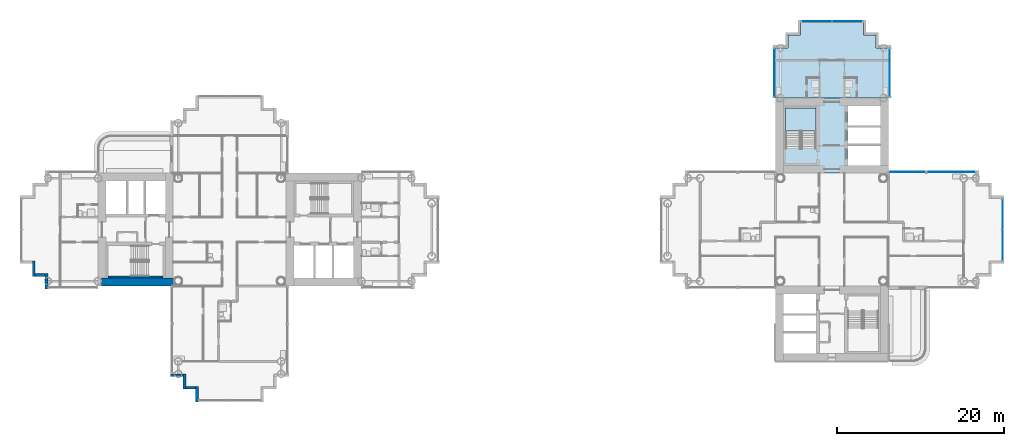
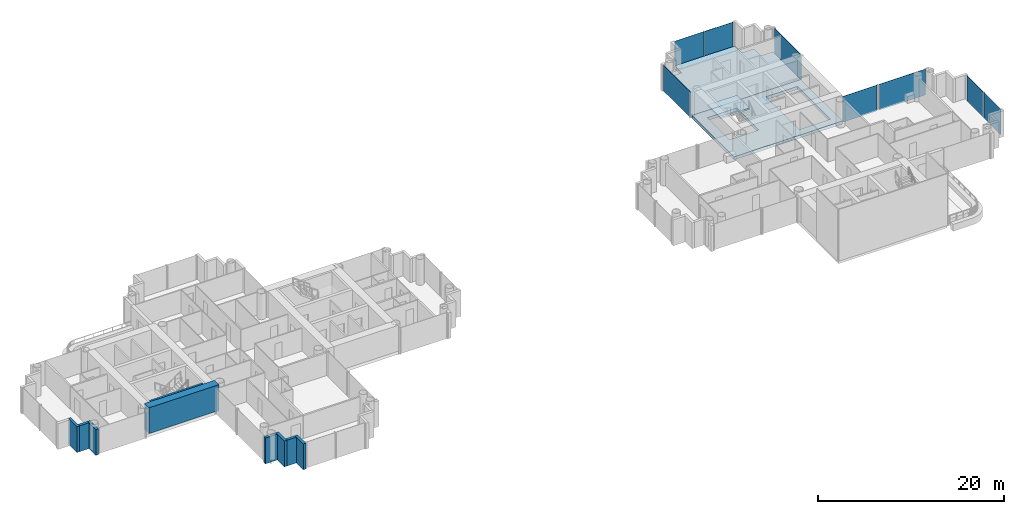
# One storey, part 8 of 21: 9 walls, 8 plates, 3 slabs, 7 elements without a shape of their own.
"""IFC4 building model written with IfcOpenShell, lengths in metres."""

from ifc_helpers import new_model, si_unit, direction, frame, frame_2d, origin, origin_2d, place, context, subcontext, project, spatial, polyline, rectangle, outline, extrude, material, layer, layer_set, type_object, element, aggregate, save


model = new_model("IFC4")

# Units and contexts
model_context = context("Model", 3, precision=1e-05, world=origin(), true_north=direction((0.0, 1.0)))
body_context = subcontext(model_context, "Body", "Model", "MODEL_VIEW")
ifc_project = project(units=[si_unit("LENGTHUNIT", "METRE"), si_unit("AREAUNIT", "SQUARE_METRE"), si_unit("VOLUMEUNIT", "CUBIC_METRE"), si_unit("PLANEANGLEUNIT", "RADIAN"), si_unit("MASSUNIT", "GRAM", prefix="KILO")], contexts=[model_context])

# Site, building, storey
site_placement = place(None, origin())
site = spatial("IfcSite", under=ifc_project, at=site_placement, CompositionType="ELEMENT")
building_placement = place(site_placement, origin())
building = spatial("IfcBuilding", under=site, at=building_placement, Name="Ipe Terrace Towers", CompositionType="ELEMENT")
storey_placement = place(building_placement, frame((0.0, 0.0, 117.39990234375)))
storey = spatial("IfcBuildingStorey", under=building, at=storey_placement, Name="L32", CompositionType="ELEMENT", Elevation=117.39990234375)

# Slab
ifc_material_1 = material(Name="Concrete C30/37", Category="concrete")
ifc_layer_1 = layer(ifc_material_1, 0.39990234375)
ifc_layer_set_1 = layer_set([ifc_layer_1], Name="CORE FLOOR SLAB 400 C30-37")
slab_type_1 = type_object("IfcSlabType", Name="CORE FLOOR SLAB 400 C30-37", PredefinedType="FLOOR", material=ifc_layer_set_1)
slab_1_placement = place(storey_placement, frame((0.0, 0.0, -0.39990234375)))
element("IfcSlab", 1, at=slab_1_placement, inside=storey, type_object=slab_type_1, Name="Core floor T2-C1", PredefinedType="FLOOR", context=body_context, shape_type="SweptSolid", body=[
    extrude(outline(polyline([(29.25, 6.75), (29.25, 15.75), (42.75, 15.75), (42.75, 6.75), (29.25, 6.75)]), holes=[polyline([(41.800048828125, 7.699951171875), (41.800048828125, 14.800048828125), (37.89990234375, 14.800048828125), (37.89990234375, 7.699951171875), (41.800048828125, 7.699951171875)]), polyline([(30.449951171875, 9.800048828125), (34.10009765625, 9.800048828125), (34.10009765625, 14.550048828125), (30.449951171875, 14.550048828125), (30.449951171875, 9.800048828125)])]), origin(), (0.0, 0.0, 1.0), 0.39990234375),
])

# Stair, slab
ifc_material_2 = material(Name="Concrete C30/37", Category="concrete")
stair_type = type_object("IfcStairType", Name="Protected exit stair", PredefinedType="HALF_TURN_STAIR", material=ifc_material_2)
stair_placement = place(storey_placement, origin())
stair = element("IfcStair", 2, at=stair_placement, inside=storey, type_object=stair_type, Name="L32 Exit stair T2-C1", PredefinedType="HALF_TURN_STAIR")
ifc_material_3 = material(Name="Concrete C30/37", Category="concrete")
ifc_layer_2 = layer(ifc_material_3, 0.199951171875)
ifc_layer_set_2 = layer_set([ifc_layer_2], Name="Exit stair landing 200")
slab_type_2 = type_object("IfcSlabType", Name="Exit stair landing 200", PredefinedType="LANDING", material=ifc_layer_set_2)
slab_2_placement = place(storey_placement, frame((0.0, 0.0, 1.5)))
slab_2 = element("IfcSlab", 3, at=slab_2_placement, type_object=slab_type_2, Name="T2-ST1 landing 1", PredefinedType="LANDING", context=body_context, shape_type="SweptSolid", body=[
    extrude(outline(polyline([(34.10009765625, 11.780029296875), (34.10009765625, 14.550048828125), (30.449951171875, 14.550048828125), (30.449951171875, 11.780029296875), (34.10009765625, 11.780029296875)])), origin(), (0.0, 0.0, 1.0), 0.2001953125),
])
aggregate(stair, [slab_2])

# Slab
ifc_material_4 = material(Name="Concrete C40/50", Category="concrete")
ifc_layer_3 = layer(ifc_material_4, 0.39990234375)
ifc_layer_set_3 = layer_set([ifc_layer_3], Name="FLAT PLATE SLAB 400 C40-50")
slab_type_3 = type_object("IfcSlabType", Name="FLAT PLATE SLAB 400 C40-50", PredefinedType="FLOOR", material=ifc_layer_set_3)
slab_3_placement = place(storey_placement, frame((0.0, 0.0, -0.39990234375)))
element("IfcSlab", 4, at=slab_3_placement, inside=storey, type_object=slab_type_3, Name="Slab T2-FS-Z22", PredefinedType="FLOOR", context=body_context, shape_type="SweptSolid", body=[
    extrude(outline(polyline([(30.75, 21.75), (30.75, 23.25), (32.25, 23.25), (32.25, 24.75), (39.75, 24.75), (39.75, 23.25), (41.25, 23.25), (41.25, 21.75), (42.75, 21.75), (42.75, 15.75), (29.25, 15.75), (29.25, 21.75), (30.75, 21.75)])), origin(), (0.0, 0.0, 1.0), 0.39990234375),
])

# Curtain wall, plates
ifc_material_5 = material(Name="Aluminium alloy 6063-T6", Category="aluminium")
ifc_layer_4 = layer(ifc_material_5, 0.320068359375)
ifc_layer_set_4 = layer_set([ifc_layer_4], Name="TOWER UNITISED CURTAIN WALL")
curtain_wall_type = type_object("IfcCurtainWallType", Name="TOWER UNITISED CURTAIN WALL", PredefinedType="NOTDEFINED", material=ifc_layer_set_4)
curtain_wall_1_placement = place(storey_placement, origin())
curtain_wall_1 = element("IfcCurtainWall", 5, at=curtain_wall_1_placement, inside=storey, type_object=curtain_wall_type, Name="T2-CW-L32-08a curtain wall", PredefinedType="NOTDEFINED")
ifc_material_6 = material(Name="Glass, clear laminated", Category="glass")
ifc_layer_5 = layer(ifc_material_6, 0.031982421875)
ifc_layer_set_5 = layer_set([ifc_layer_5], Name="TOWER UNITISED GLASS PANEL 32")
plate_type = type_object("IfcPlateType", Name="TOWER UNITISED GLASS PANEL 32", PredefinedType="CURTAIN_PANEL", material=ifc_layer_set_5)
plate_1_placement = place(storey_placement, frame((56.409912109375, -1.831298828125, -0.2998046875), z_axis=(0.0, 0.0, 1.0), x_axis=(0.0, 1.0, 0.0)))
plate_1 = element("IfcPlate", 6, at=plate_1_placement, type_object=plate_type, Name="T2-CW-L32-08a panel 1", PredefinedType="CURTAIN_PANEL", context=body_context, shape_type="SweptSolid", body=[
    extrude(rectangle(XDim=3.597412109375, YDim=0.031982421875, at=origin_2d()), origin(), (0.0, 0.0, 1.0), 3.39990234375),
])
plate_2_placement = place(storey_placement, frame((56.409912109375, 1.831298828125, -0.2998046875), z_axis=(0.0, 0.0, 1.0), x_axis=(0.0, 1.0, 0.0)))
plate_2 = element("IfcPlate", 7, at=plate_2_placement, type_object=plate_type, Name="T2-CW-L32-08a panel 2", PredefinedType="CURTAIN_PANEL", context=body_context, shape_type="SweptSolid", body=[
    extrude(rectangle(XDim=3.597412109375, YDim=0.031982421875, at=origin_2d()), origin(), (0.0, 0.0, 1.0), 3.39990234375),
])
aggregate(curtain_wall_1, [plate_1, plate_2])

# Curtain wall, plate
curtain_wall_2_placement = place(storey_placement, origin())
curtain_wall_2 = element("IfcCurtainWall", 8, at=curtain_wall_2_placement, inside=storey, type_object=curtain_wall_type, Name="T2-CW-L32-13a curtain wall", PredefinedType="NOTDEFINED")
plate_3_placement = place(storey_placement, frame((50.25, 6.909912109375, -0.2998046875), z_axis=(0.0, 0.0, 1.0), x_axis=(-1.0, 0.0, 0.0)))
plate_3 = element("IfcPlate", 9, at=plate_3_placement, type_object=plate_type, Name="T2-CW-L32-13a panel 1", PredefinedType="CURTAIN_PANEL", context=body_context, shape_type="SweptSolid", body=[
    extrude(rectangle(XDim=5.760009765625, YDim=0.031982421875, at=origin_2d()), origin(), (0.0, 0.0, 1.0), 3.39990234375),
])
aggregate(curtain_wall_2, [plate_3])

curtain_wall_3_placement = place(storey_placement, origin())
curtain_wall_3 = element("IfcCurtainWall", 10, at=curtain_wall_3_placement, inside=storey, type_object=curtain_wall_type, Name="T2-CW-L32-14a curtain wall", PredefinedType="NOTDEFINED")
plate_4_placement = place(storey_placement, frame((45.0, 6.909912109375, -0.2998046875), z_axis=(0.0, 0.0, 1.0), x_axis=(-1.0, 0.0, 0.0)))
plate_4 = element("IfcPlate", 11, at=plate_4_placement, type_object=plate_type, Name="T2-CW-L32-14a panel 1", PredefinedType="CURTAIN_PANEL", context=body_context, shape_type="SweptSolid", body=[
    extrude(rectangle(XDim=4.260009765625, YDim=0.031982421875, at=origin_2d()), origin(), (0.0, 0.0, 1.0), 3.39990234375),
])
aggregate(curtain_wall_3, [plate_4])

curtain_wall_4_placement = place(storey_placement, origin())
curtain_wall_4 = element("IfcCurtainWall", 12, at=curtain_wall_4_placement, inside=storey, type_object=curtain_wall_type, Name="T2-CW-L32-16b curtain wall", PredefinedType="NOTDEFINED")
plate_5_placement = place(storey_placement, frame((42.909912109375, 18.75048828125, -0.2998046875), z_axis=(0.0, 0.0, 1.0), x_axis=(0.0, 1.0, 0.0)))
plate_5 = element("IfcPlate", 13, at=plate_5_placement, type_object=plate_type, Name="T2-CW-L32-16b panel 1", PredefinedType="CURTAIN_PANEL", context=body_context, shape_type="SweptSolid", body=[
    extrude(rectangle(XDim=5.759033203125, YDim=0.031982421875, at=origin_2d()), origin(), (0.0, 0.0, 1.0), 3.39990234375),
])
aggregate(curtain_wall_4, [plate_5])

# Curtain wall, plates
curtain_wall_5_placement = place(storey_placement, origin())
curtain_wall_5 = element("IfcCurtainWall", 14, at=curtain_wall_5_placement, inside=storey, type_object=curtain_wall_type, Name="T2-CW-L32-21a curtain wall", PredefinedType="NOTDEFINED")
plate_6_placement = place(storey_placement, frame((37.831298828125, 24.909912109375, -0.2998046875), z_axis=(0.0, 0.0, 1.0), x_axis=(-1.0, 0.0, 0.0)))
plate_6 = element("IfcPlate", 15, at=plate_6_placement, type_object=plate_type, Name="T2-CW-L32-21a panel 1", PredefinedType="CURTAIN_PANEL", context=body_context, shape_type="SweptSolid", body=[
    extrude(rectangle(XDim=3.597412109375, YDim=0.031982421875, at=origin_2d()), origin(), (0.0, 0.0, 1.0), 3.39990234375),
])
plate_7_placement = place(storey_placement, frame((34.168701171875, 24.909912109375, -0.2998046875), z_axis=(0.0, 0.0, 1.0), x_axis=(-1.0, 0.0, 0.0)))
plate_7 = element("IfcPlate", 16, at=plate_7_placement, type_object=plate_type, Name="T2-CW-L32-21a panel 2", PredefinedType="CURTAIN_PANEL", context=body_context, shape_type="SweptSolid", body=[
    extrude(rectangle(XDim=3.597412109375, YDim=0.031982421875, at=origin_2d()), origin(), (0.0, 0.0, 1.0), 3.39990234375),
])
aggregate(curtain_wall_5, [plate_6, plate_7])

# Curtain wall, plate
curtain_wall_6_placement = place(storey_placement, origin())
curtain_wall_6 = element("IfcCurtainWall", 17, at=curtain_wall_6_placement, inside=storey, type_object=curtain_wall_type, Name="T2-CW-L32-26a curtain wall", PredefinedType="NOTDEFINED")
plate_8_placement = place(storey_placement, frame((29.090087890625, 18.75048828125, -0.2998046875), z_axis=(0.0, 0.0, 1.0), x_axis=(0.0, -1.0, 0.0)))
plate_8 = element("IfcPlate", 18, at=plate_8_placement, type_object=plate_type, Name="T2-CW-L32-26a panel 1", PredefinedType="CURTAIN_PANEL", context=body_context, shape_type="SweptSolid", body=[
    extrude(rectangle(XDim=5.759033203125, YDim=0.031982421875, at=origin_2d()), origin(), (0.0, 0.0, 1.0), 3.39990234375),
])
aggregate(curtain_wall_6, [plate_8])

# Walls
ifc_material_7 = material(Name="Concrete C40/50 with buff precast cladding", Category="concrete")
ifc_layer_6 = layer(ifc_material_7, 0.320068359375)
ifc_layer_set_6 = layer_set([ifc_layer_6], Name="BUFF CLADDING WALL 320")
wall_type_1 = type_object("IfcWallType", Name="BUFF CLADDING WALL 320", PredefinedType="STANDARD", material=ifc_layer_set_6)
wall_1_placement = place(storey_placement, frame((-59.409912109375, -3.75, -0.2998046875), z_axis=(0.0, 0.0, 1.0), x_axis=(0.0, -1.0, 0.0)))
element("IfcWall", 19, at=wall_1_placement, inside=storey, type_object=wall_type_1, Name="T1-W-L32-01a wall", PredefinedType="STANDARD", context=body_context, shape_type="SweptSolid", body=[
    extrude(rectangle(XDim=1.820068359375, YDim=0.320068359375, at=frame_2d((0.91015625, 0.0))), origin(), (0.0, 0.0, 1.0), 3.39990234375),
])
wall_2_placement = place(storey_placement, frame((-59.25, -5.409912109375, -0.2998046875), z_axis=(0.0, 0.0, 1.0), x_axis=(1.0, 0.0, 0.0)))
element("IfcWall", 20, at=wall_2_placement, inside=storey, type_object=wall_type_1, Name="T1-W-L32-02a wall", PredefinedType="STANDARD", context=body_context, shape_type="SweptSolid", body=[
    extrude(rectangle(XDim=1.179931640625, YDim=0.320068359375, at=frame_2d((0.58984375, 0.0))), origin(), (0.0, 0.0, 1.0), 3.39990234375),
])
wall_3_placement = place(storey_placement, frame((-57.909912109375, -5.25, -0.2998046875), z_axis=(0.0, 0.0, 1.0), x_axis=(0.0, -1.0, 0.0)))
element("IfcWall", 21, at=wall_3_placement, inside=storey, type_object=wall_type_1, Name="T1-W-L32-03a wall", PredefinedType="STANDARD", context=body_context, shape_type="SweptSolid", body=[
    extrude(rectangle(XDim=1.820068359375, YDim=0.320068359375, at=frame_2d((0.91015625, 0.0))), origin(), (0.0, 0.0, 1.0), 3.39990234375),
])
wall_4_placement = place(storey_placement, frame((-43.070068359375, -17.409912109375, -0.2998046875), z_axis=(0.0, 0.0, 1.0), x_axis=(1.0, 0.0, 0.0)))
element("IfcWall", 22, at=wall_4_placement, inside=storey, type_object=wall_type_1, Name="T1-W-L32-08a wall", PredefinedType="STANDARD", context=body_context, shape_type="SweptSolid", body=[
    extrude(rectangle(XDim=1.5, YDim=0.320068359375, at=frame_2d((0.75, 0.0))), origin(), (0.0, 0.0, 1.0), 3.39990234375),
])
wall_5_placement = place(storey_placement, frame((-41.409912109375, -17.25, -0.2998046875), z_axis=(0.0, 0.0, 1.0), x_axis=(0.0, -1.0, 0.0)))
element("IfcWall", 23, at=wall_5_placement, inside=storey, type_object=wall_type_1, Name="T1-W-L32-09a wall", PredefinedType="STANDARD", context=body_context, shape_type="SweptSolid", body=[
    extrude(rectangle(XDim=1.820068359375, YDim=0.320068359375, at=frame_2d((0.91015625, 0.0))), origin(), (0.0, 0.0, 1.0), 3.39990234375),
])
wall_6_placement = place(storey_placement, frame((-41.25, -18.909912109375, -0.2998046875), z_axis=(0.0, 0.0, 1.0), x_axis=(1.0, 0.0, 0.0)))
element("IfcWall", 24, at=wall_6_placement, inside=storey, type_object=wall_type_1, Name="T1-W-L32-10a wall", PredefinedType="STANDARD", context=body_context, shape_type="SweptSolid", body=[
    extrude(rectangle(XDim=1.179931640625, YDim=0.320068359375, at=frame_2d((0.58984375, 0.0))), origin(), (0.0, 0.0, 1.0), 3.39990234375),
])
wall_7_placement = place(storey_placement, frame((-39.909912109375, -18.75, -0.2998046875), z_axis=(0.0, 0.0, 1.0), x_axis=(0.0, -1.0, 0.0)))
element("IfcWall", 25, at=wall_7_placement, inside=storey, type_object=wall_type_1, Name="T1-W-L32-11a wall", PredefinedType="STANDARD", context=body_context, shape_type="SweptSolid", body=[
    extrude(rectangle(XDim=1.820068359375, YDim=0.320068359375, at=frame_2d((0.91015625, 0.0))), origin(), (0.0, 0.0, 1.0), 3.39990234375),
])
ifc_material_8 = material(Name="Concrete C50/60", Category="concrete")
ifc_layer_7 = layer(ifc_material_8, 0.25)
ifc_layer_set_7 = layer_set([ifc_layer_7], Name="RW250 CORE INFILL WALL 250 C50-60")
wall_type_2 = type_object("IfcWallType", Name="RW250 CORE INFILL WALL 250 C50-60", PredefinedType="SHEAR", material=ifc_layer_set_7)
wall_8_placement = place(storey_placement, frame((-43.949951171875, -5.675048828125, 0.0), z_axis=(0.0, 0.0, 1.0), x_axis=(-1.0, 0.0, 0.0)))
element("IfcWall", 26, at=wall_8_placement, inside=storey, type_object=wall_type_2, Name="Core infill wall T1-C2-back", PredefinedType="SHEAR", context=body_context, shape_type="SweptSolid", body=[
    extrude(rectangle(XDim=6.60009765625, YDim=0.25, at=frame_2d((3.300048828125, 0.0))), origin(), (0.0, 0.0, 1.0), 3.400146484375),
])
ifc_material_9 = material(Name="Concrete C50/60", Category="concrete")
ifc_layer_8 = layer(ifc_material_9, 0.949951171875)
ifc_layer_set_8 = layer_set([ifc_layer_8], Name="RW950 CORE WALL 950 C50-60")
wall_type_3 = type_object("IfcWallType", Name="RW950 CORE WALL 950 C50-60", PredefinedType="SHEAR", material=ifc_layer_set_8)
wall_9_placement = place(storey_placement, frame((-51.298095703125, -6.27490234375, 0.0), z_axis=(0.0, 0.0, 1.0), x_axis=(1.0, 0.0, 0.0)))
element("IfcWall", 27, at=wall_9_placement, inside=storey, type_object=wall_type_3, Name="Core wall T1-C2-Z2-W01", PredefinedType="SHEAR", context=body_context, shape_type="SweptSolid", body=[
    extrude(rectangle(XDim=8.696044921875, YDim=0.949951171875, at=frame_2d((4.34814453125, 0.0))), origin(), (0.0, 0.0, 1.0), 3.400146484375),
])

save(model, "model.ifc")
